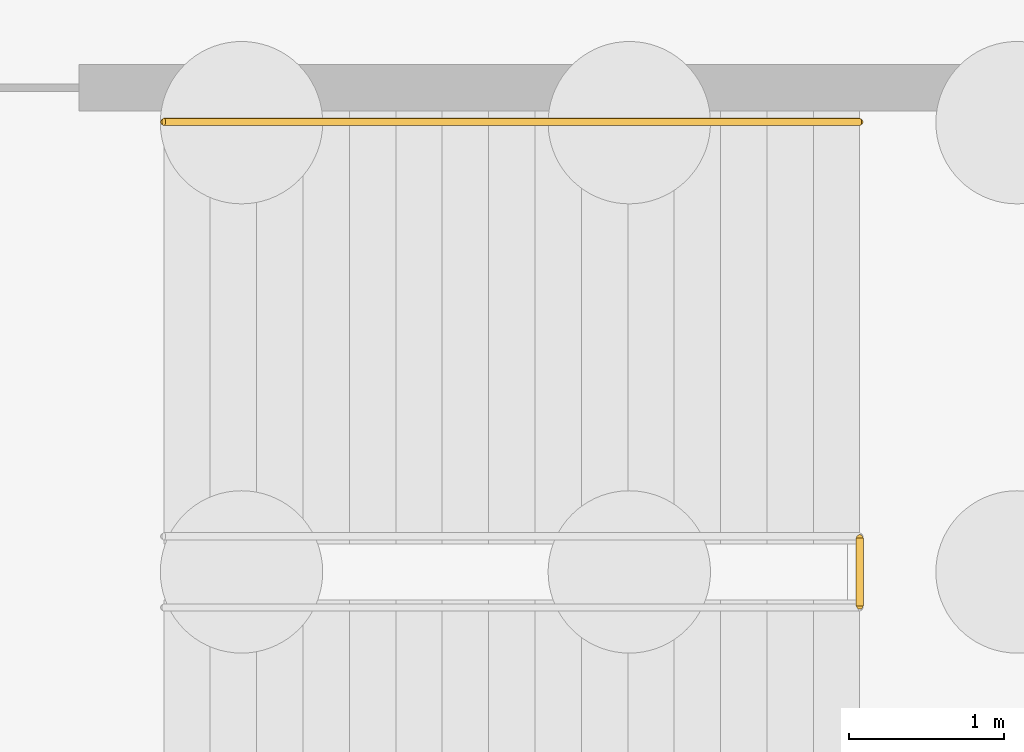
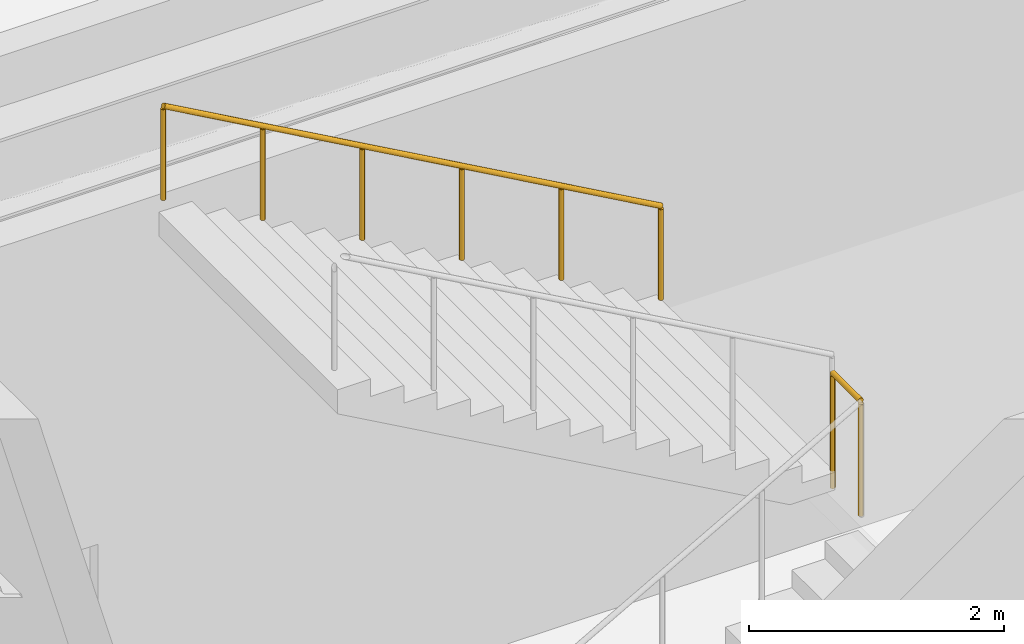
# One storey, part 46 of 47: 2 railings.
"""IFC4 building model written with IfcOpenShell, lengths in metres."""

from ifc_helpers import new_model, si_unit, direction, frame, origin, origin_2d, place, context, subcontext, project, spatial, circle, extrude, material, type_object, element, save


model = new_model("IFC4")

# Units and contexts
model_context = context("Model", 3, precision=1e-05, world=origin(), true_north=direction((0.0, 1.0)))
body_context = subcontext(model_context, "Body", "Model", "MODEL_VIEW")
ifc_project = project(units=[si_unit("LENGTHUNIT", "METRE"), si_unit("AREAUNIT", "SQUARE_METRE"), si_unit("VOLUMEUNIT", "CUBIC_METRE"), si_unit("PLANEANGLEUNIT", "RADIAN"), si_unit("MASSUNIT", "GRAM", prefix="KILO")], contexts=[model_context])

# Site, building, storey
site_placement = place(None, origin())
site = spatial("IfcSite", under=ifc_project, at=site_placement, CompositionType="ELEMENT")
building_placement = place(site_placement, origin())
building = spatial("IfcBuilding", under=site, at=building_placement, Name="Kaldorvane Square Convention Centre", CompositionType="ELEMENT")
storey_placement = place(building_placement, frame((0.0, 0.0, -5.399993896484375)))
storey = spatial("IfcBuildingStorey", under=building, at=storey_placement, Name="B01", CompositionType="ELEMENT", Elevation=-5.399993896484375)

# Railings
ifc_material = material(Name="Architectural Painted Steel", Category="steel")
railing_type_1 = type_object("IfcRailingType", Name="RL-GUARD-1120", PredefinedType="BALUSTRADE", material=ifc_material)
railing_1_placement = place(storey_placement, frame((133.49000549316406, 75.86000061035156, 2.6999969482421875)))
element("IfcRailing", 1, at=railing_1_placement, inside=storey, type_object=railing_type_1, Name="Convention Exit Stair C18 Half-Landing Guard (B01)", PredefinedType="BALUSTRADE", context=body_context, shape_type="SweptSolid", body=[
    extrude(circle(Radius=0.0240020751953125, at=origin_2d()), frame((0.0, 0.0, 1.0959930419921875), z_axis=(0.0, 1.0, 0.0), x_axis=(-1.0, 0.0, 0.0)), (0.0, 0.0, 1.0), 0.44000244140625),
    extrude(circle(Radius=0.02099609375, at=origin_2d()), origin(), (0.0, 0.0, 1.0), 1.071990966796875),
    extrude(circle(Radius=0.02099609375, at=origin_2d()), frame((0.0, 0.44000244140625, 0.0)), (0.0, 0.0, 1.0), 1.071990966796875),
])
railing_type_2 = type_object("IfcRailingType", Name="RL-HAND-915", PredefinedType="HANDRAIL", material=ifc_material)
railing_2_placement = place(storey_placement, frame((133.49000549316406, 78.99000549316406, 2.868743896484375)))
element("IfcRailing", 2, at=railing_2_placement, inside=storey, type_object=railing_type_2, Name="Convention Exit Stair C18 Wall Handrail 2 (B01)", PredefinedType="HANDRAIL", context=body_context, shape_type="SweptSolid", body=[
    extrude(circle(Radius=0.0240020751953125, at=origin_2d()), frame((0.0, 0.0, 0.8909912109375), z_axis=(-0.871575537125, 0.0, 0.490261239633), x_axis=(0.0, -1.0, 0.0)), (0.0, 0.0, 1.0), 5.1630706787109375),
    extrude(circle(Radius=0.02099609375, at=origin_2d()), origin(), (0.0, 0.0, 1.0), 0.8669891357421875),
    extrude(circle(Radius=0.02099609375, at=origin_2d()), frame((-0.899993896484375, 0.0, 0.506256103515625)), (0.0, 0.0, 1.0), 0.8669891357421875),
    extrude(circle(Radius=0.02099609375, at=origin_2d()), frame((-1.8000030517578125, 0.0, 1.0124969482421875)), (0.0, 0.0, 1.0), 0.8669891357421875),
    extrude(circle(Radius=0.02099609375, at=origin_2d()), frame((-2.6999969482421875, 0.0, 1.5187530517578125)), (0.0, 0.0, 1.0), 0.8669891357421875),
    extrude(circle(Radius=0.02099609375, at=origin_2d()), frame((-3.600006103515625, 0.0, 2.024993896484375)), (0.0, 0.0, 1.0), 0.8669891357421875),
    extrude(circle(Radius=0.02099609375, at=origin_2d()), frame((-4.5, 0.0, 2.53125)), (0.0, 0.0, 1.0), 0.8669891357421875),
])

save(model, "model.ifc")
